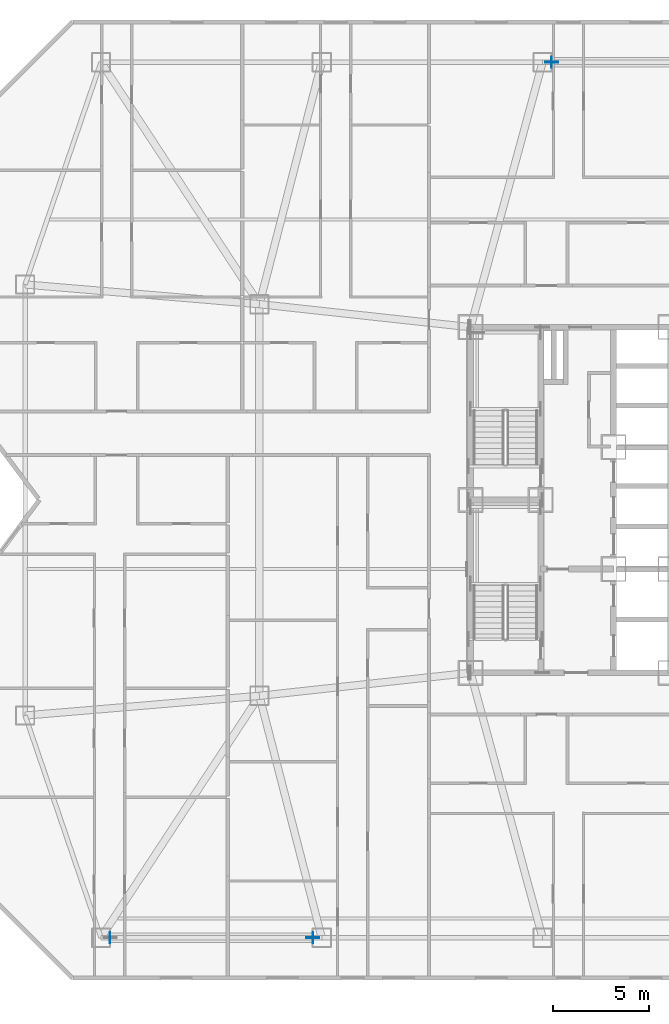
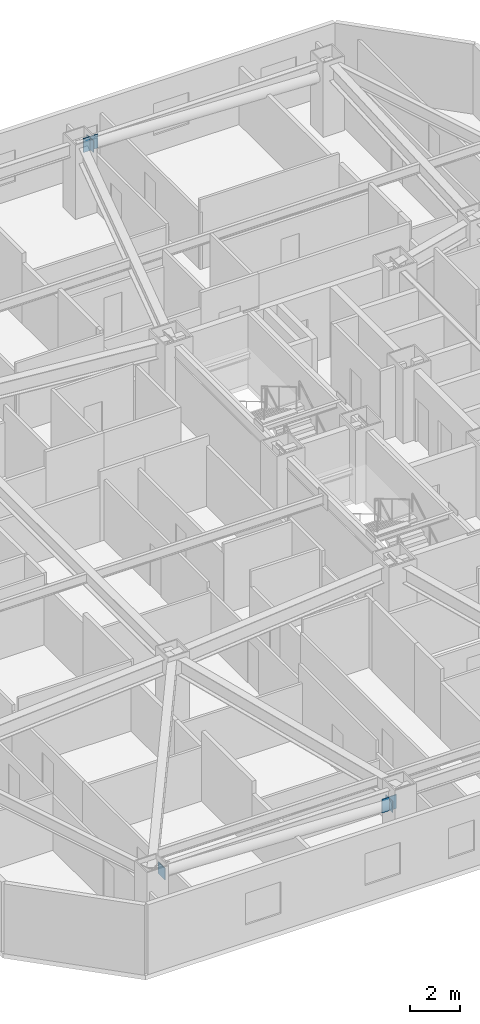
# One storey, part 6 of 16: 5 plates.
"""IFC4 building model written with IfcOpenShell, lengths in metres."""

import ifcopenshell
import ifcopenshell.guid

model = None  # the IFC model being written
_history = None  # IfcOwnerHistory: only IFC2X3 demands one
_inside = {}  # id of a spatial element -> (the spatial element, [elements in it])
_under = {}  # id of a project, library or spatial element -> (it, [spatial elements below it])
_declared = {}  # id of a project -> (the project, [libraries it declares])
_typed = {}  # id of a type object -> (the type object, [elements of that type])
_made_of = {}  # id of a material, layer set ... -> (it, [elements and type objects made of it])


def new_model(schema):
    """Start an empty IFC model of exactly this schema.

    Asked for "IFC4X3", IfcOpenShell would pick the latest addendum, in which some entities
    have other attributes; the version numbers below select the first issue.
    IFC2X3 requires an IfcOwnerHistory on every rooted entity: one is made here for all.
    """
    global model, _history
    if schema == "IFC4X3":
        model = ifcopenshell.file(schema_version=(4, 3, 0, 0))
    else:
        model = ifcopenshell.file(schema=schema)
    _inside.clear()
    _under.clear()
    _declared.clear()
    _typed.clear()
    _made_of.clear()
    _history = None
    if model.schema == "IFC2X3":
        org = make("IfcOrganization", Name="unknown")
        user = make(
            "IfcPersonAndOrganization",
            ThePerson=make("IfcPerson", FamilyName="unknown"),
            TheOrganization=org,
        )
        app = make(
            "IfcApplication",
            ApplicationDeveloper=org,
            Version="unknown",
            ApplicationFullName="unknown",
            ApplicationIdentifier="unknown",
        )
        _history = make(
            "IfcOwnerHistory",
            OwningUser=user,
            OwningApplication=app,
            ChangeAction="ADDED",
            CreationDate=0,
        )
    return model


def make(cls, **values):
    """One entity of the class cls with the attributes given. An attribute that is None is left unset."""
    return model.create_entity(
        cls, **{name: value for name, value in values.items() if value is not None}
    )


def rooted(cls, **values):
    """An entity with a GlobalId (a new one), such as an element, a storey or a relation."""
    return make(cls, GlobalId=ifcopenshell.guid.new(), OwnerHistory=_history, **values)


def si_unit(unit_type, name, prefix=None):
    """IfcSIUnit, for example si_unit("LENGTHUNIT", "METRE", prefix="MILLI")."""
    return make("IfcSIUnit", UnitType=unit_type, Prefix=prefix, Name=name)


def assignment(units):
    """IfcUnitAssignment: the units of a project."""
    return None if units is None else make("IfcUnitAssignment", Units=units)


def point(xyz):
    """IfcCartesianPoint."""
    return None if xyz is None else make("IfcCartesianPoint", Coordinates=xyz)


def direction(xyz):
    """IfcDirection."""
    return None if xyz is None else make("IfcDirection", DirectionRatios=xyz)


def frame(location, z_axis=None, x_axis=None):
    """IfcAxis2Placement3D, a coordinate frame: its origin and axes. An axis left out is left unset."""
    return make(
        "IfcAxis2Placement3D",
        Location=point(location),
        Axis=direction(z_axis),
        RefDirection=direction(x_axis),
    )


def frame_2d(location, x_axis=None):
    """IfcAxis2Placement2D, a coordinate frame in the plane: its origin and x axis."""
    return make(
        "IfcAxis2Placement2D", Location=point(location), RefDirection=direction(x_axis)
    )


def origin():
    """The frame at (0, 0, 0) with its axes left unset."""
    return frame((0.0, 0.0, 0.0))


def origin_2d():
    """The frame at (0, 0) in the plane with its x axis left unset."""
    return frame_2d((0.0, 0.0))


def place(relative_to, where):
    """IfcLocalPlacement: puts the frame where relative to a parent placement (None: the world)."""
    return make(
        "IfcLocalPlacement", PlacementRelTo=relative_to, RelativePlacement=where
    )


def context(
    kind, dimensions, precision=None, world=None, true_north=None, identifier=None
):
    """IfcGeometricRepresentationContext, for example the 3D "Model" context."""
    return make(
        "IfcGeometricRepresentationContext",
        ContextIdentifier=identifier,
        ContextType=kind,
        CoordinateSpaceDimension=dimensions,
        Precision=precision,
        WorldCoordinateSystem=world,
        TrueNorth=true_north,
    )


def subcontext(parent, identifier, kind, view, scale=None):
    """IfcGeometricRepresentationSubContext, for example "Body" below "Model"."""
    return make(
        "IfcGeometricRepresentationSubContext",
        ContextIdentifier=identifier,
        ContextType=kind,
        ParentContext=parent,
        TargetScale=scale,
        TargetView=view,
    )


def project(units=None, contexts=None):
    """IfcProject with its units and contexts."""
    return rooted(
        "IfcProject",
        Name="project",
        RepresentationContexts=contexts,
        UnitsInContext=assignment(units),
    )


def spatial(cls, under=None, at=None, **own):
    """A site, building, storey or space (cls), placed at a placement, below another one or the project."""
    s = rooted(cls, ObjectPlacement=at, **own)
    if under is not None:
        _under.setdefault(under.id(), (under, []))[1].append(s)
    return s


def profile(cls, at=None, kind="AREA", **sizes):
    """A parametric profile (cls). Its sizes go by their IFC names, for example OverallWidth=200.0."""
    return make(cls, ProfileType=kind, Position=at, **sizes)


def rectangle(**sizes):
    """IfcRectangleProfileDef."""
    return profile("IfcRectangleProfileDef", **sizes)


def extrude(swept, where, along, depth):
    """IfcExtrudedAreaSolid: the profile swept, set in the frame where, extruded along a direction by depth."""
    return make(
        "IfcExtrudedAreaSolid",
        SweptArea=swept,
        Position=where,
        ExtrudedDirection=direction(along),
        Depth=depth,
    )


def shape(context_of_items, identifier, shape_type, items):
    """IfcShapeRepresentation: the items that make up one representation, for example the "Body"."""
    return make(
        "IfcShapeRepresentation",
        ContextOfItems=context_of_items,
        RepresentationIdentifier=identifier,
        RepresentationType=shape_type,
        Items=items,
    )


def material(Name=None, Category=None):
    """IfcMaterial."""
    return make("IfcMaterial", Name=Name, Category=Category)


def layer(
    of_material, thickness, ventilated=None, Name=None, Category=None, Priority=None
):
    """IfcMaterialLayer: one layer of a wall or slab, of a material (None: an air gap)."""
    return make(
        "IfcMaterialLayer",
        Material=of_material,
        LayerThickness=thickness,
        IsVentilated=ventilated,
        Name=Name,
        Category=Category,
        Priority=Priority,
    )


def layer_set(layers, Name=None):
    """IfcMaterialLayerSet."""
    return make("IfcMaterialLayerSet", MaterialLayers=layers, LayerSetName=Name)


def made_of(thing, what):
    """Note that an element or type object is made of a material, layer set ...; save() writes the relation."""
    if what is not None:
        _made_of.setdefault(what.id(), (what, []))[1].append(thing)
    return thing


def type_object(cls, material=None, **own):
    """A type object (cls), such as IfcWallType, which elements share."""
    return made_of(rooted(cls, **own), material)


def element(
    cls,
    number,
    at=None,
    inside=None,
    cuts=None,
    type_object=None,
    material=None,
    context=None,
    identifier="Body",
    shape_type=None,
    held_by="IfcProductDefinitionShape",
    body=None,
    shapes=None,
    **own,
):
    """One element of the class cls, such as IfcWall. Its Tag is "e" and its number.

    at: its placement. inside: the storey or other place that contains it. cuts: it is an
    opening in that element (IfcRelVoidsElement). A single representation is given by context,
    identifier, shape_type and body (its items); several are given by shapes. held_by: the class
    of the entity that holds the representations. save() writes the other relations.
    """
    e = rooted(cls, Tag="e%d" % number, ObjectPlacement=at, **own)
    if body is not None:
        shapes = [shape(context, identifier, shape_type, body)]
    if shapes is not None:
        e.Representation = make(held_by, Representations=shapes)
    if inside is not None:
        _inside.setdefault(inside.id(), (inside, []))[1].append(e)
    if cuts is not None:
        rooted(
            "IfcRelVoidsElement", RelatingBuildingElement=cuts, RelatedOpeningElement=e
        )
    if type_object is not None:
        _typed.setdefault(type_object.id(), (type_object, []))[1].append(e)
    return made_of(e, material)


def aggregate(whole, parts):
    """IfcRelAggregates: a whole, such as a stair, and the parts it consists of."""
    return rooted("IfcRelAggregates", RelatingObject=whole, RelatedObjects=parts)


def save(model, path):
    """Write the relations noted so far, then the file.

    IfcRelAggregates (storeys below a building ...), IfcRelContainedInSpatialStructure (elements
    in a storey), IfcRelDefinesByType, IfcRelAssociatesMaterial and IfcRelDeclares: one each for
    every whole, place, type object, material and project.
    """
    for whole, parts in _under.values():
        aggregate(whole, parts)
    for where, things in _inside.values():
        rooted(
            "IfcRelContainedInSpatialStructure",
            RelatedElements=things,
            RelatingStructure=where,
        )
    for kind, things in _typed.values():
        rooted("IfcRelDefinesByType", RelatedObjects=things, RelatingType=kind)
    for what, things in _made_of.values():
        rooted("IfcRelAssociatesMaterial", RelatedObjects=things, RelatingMaterial=what)
    for by, libraries in _declared.values():
        rooted("IfcRelDeclares", RelatingContext=by, RelatedDefinitions=libraries)
    model.write(path)


model = new_model("IFC4")

# Units and contexts
model_context = context("Model", 3, precision=1e-05, world=origin(), true_north=direction((0.0, 1.0)))
body_context = subcontext(model_context, "Body", "Model", "MODEL_VIEW")
ifc_project = project(units=[si_unit("LENGTHUNIT", "METRE"), si_unit("AREAUNIT", "SQUARE_METRE"), si_unit("VOLUMEUNIT", "CUBIC_METRE"), si_unit("PLANEANGLEUNIT", "RADIAN"), si_unit("MASSUNIT", "GRAM", prefix="KILO")], contexts=[model_context])

# Site, building, storey
site_placement = place(None, origin())
site = spatial("IfcSite", under=ifc_project, at=site_placement, CompositionType="ELEMENT")
building_placement = place(site_placement, origin())
building = spatial("IfcBuilding", under=site, at=building_placement, Name="Khamvora Tower", CompositionType="ELEMENT")
storey_placement = place(building_placement, frame((0.0, 0.0, 77.10009765625)))
storey = spatial("IfcBuildingStorey", under=building, at=storey_placement, Name="L19", CompositionType="ELEMENT", Elevation=77.10009765625)

# Plates
ifc_material_1 = material(Name="Steel S355", Category="steel")
ifc_layer_1 = layer(ifc_material_1, 0.02490234375)
ifc_layer_set_1 = layer_set([ifc_layer_1], Name="Steel S355")
plate_type_1 = type_object("IfcPlateType", Name="PL-CAP-25", PredefinedType="SHEET", material=ifc_layer_set_1)
for number, where, z_axis, x_axis, name in (
    (1, (20.781982421875, 5.199951171875, 2.4140625), (0.0, 0.0, 1.0), (-1.0, 0.0, 0.0), "L19 hollow section steel end cap plate 0604"),
    (2, (10.218017578125, 5.199951171875, 2.81982421875), (0.0, 0.0, 1.0), (-1.0, 0.0, 0.0), "L19 hollow section steel end cap plate 0605"),
    (3, (33.218017578125, 50.800048828125, 2.81982421875), (0.0, 0.0, 1.0), (-1.0, 0.0, 0.0), "L19 hollow section steel end cap plate 0607"),
):
    element("IfcPlate", number, at=place(storey_placement, frame(where, z_axis=z_axis, x_axis=x_axis)), inside=storey, type_object=plate_type_1, Name=name, PredefinedType="SHEET", context=body_context, shape_type="SweptSolid", body=[
        extrude(rectangle(XDim=0.02490234375, YDim=0.568115234375, at=origin_2d()), origin(), (0.0, 0.0, 1.0), 0.568115234375),
    ])
ifc_material_2 = material(Name="Steel S460", Category="steel")
ifc_layer_2 = layer(ifc_material_2, 0.0400390625)
ifc_layer_set_2 = layer_set([ifc_layer_2], Name="Steel S460")
plate_type_2 = type_object("IfcPlateType", Name="PLT-GUS-40", PredefinedType="SHEET", material=ifc_layer_set_2)
for number, where, z_axis, x_axis, name in (
    (4, (20.77001953125, 5.199951171875, 2.35791015625), (0.0, 0.0, 1.0), (1.0, 0.0, 0.0), "L19 brace connection node gusset plate 0121"),
    (5, (33.22998046875, 50.800048828125, 2.76416015625), (0.0, 0.0, 1.0), (1.0, 0.0, 0.0), "L19 brace connection node gusset plate 0124"),
):
    element("IfcPlate", number, at=place(storey_placement, frame(where, z_axis=z_axis, x_axis=x_axis)), inside=storey, type_object=plate_type_2, Name=name, PredefinedType="SHEET", context=body_context, shape_type="SweptSolid", body=[
        extrude(rectangle(XDim=0.679931640625, YDim=0.0400390625, at=origin_2d()), origin(), (0.0, 0.0, 1.0), 0.679931640625),
    ])

save(model, "model.ifc")
